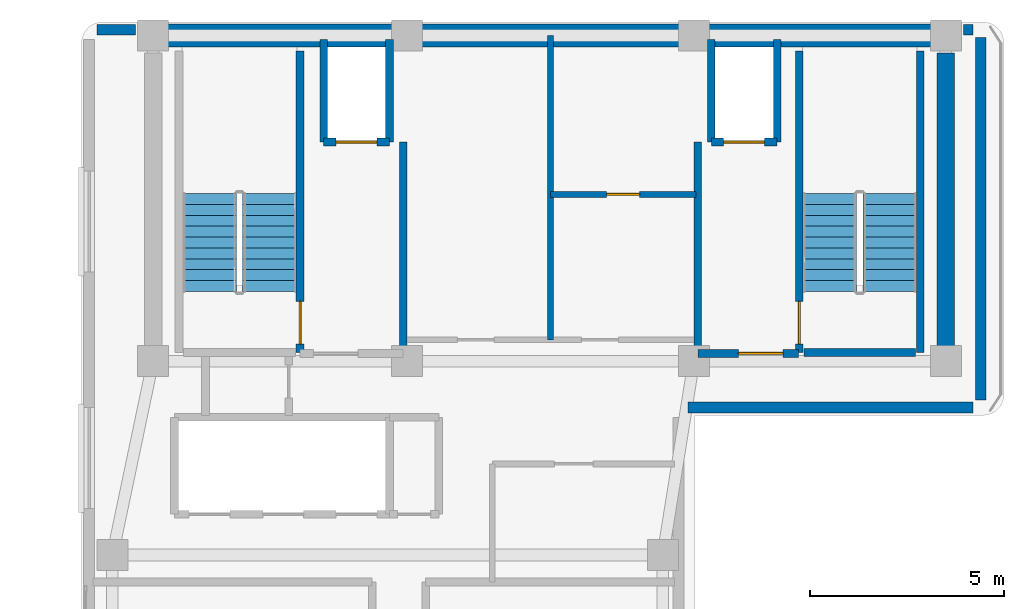
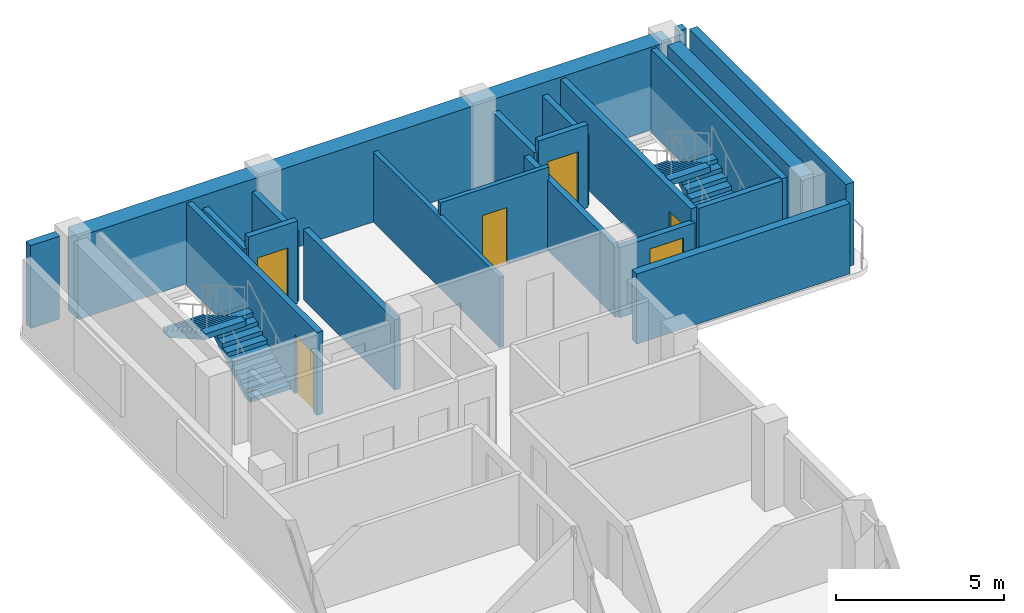
# One storey, part 9 of 11: 21 walls, 6 doors, 4 stair flights, 6 openings, 2 elements without a shape of their own.
"""IFC4 building model written with IfcOpenShell, lengths in metres."""

from ifc_helpers import new_model, si_unit, direction, frame, frame_2d, origin, place, context, subcontext, project, spatial, polyline, rectangle, outline, extrude, material, layer, layer_set, type_object, element, fill, aggregate, save


model = new_model("IFC4")

# Units and contexts
model_context = context("Model", 3, precision=1e-05, world=origin(), true_north=direction((0.0, 1.0)))
body_context = subcontext(model_context, "Body", "Model", "MODEL_VIEW")
ifc_project = project(units=[si_unit("LENGTHUNIT", "METRE"), si_unit("AREAUNIT", "SQUARE_METRE"), si_unit("VOLUMEUNIT", "CUBIC_METRE"), si_unit("PLANEANGLEUNIT", "RADIAN"), si_unit("MASSUNIT", "GRAM", prefix="KILO")], contexts=[model_context])

# Site, building, storey
site_placement = place(None, origin())
site = spatial("IfcSite", under=ifc_project, at=site_placement, CompositionType="ELEMENT")
building_placement = place(site_placement, origin())
building = spatial("IfcBuilding", under=site, at=building_placement, Name="Kuzgunbayir Cultural Tower", CompositionType="ELEMENT")
storey_placement = place(building_placement, frame((0.0, 0.0, 237.60009765625)))
storey = spatial("IfcBuildingStorey", under=building, at=storey_placement, Name="L70", CompositionType="ELEMENT", Elevation=237.60009765625)

# Walls
ifc_material_1 = material(Name="Concrete C50/60", Category="concrete")
ifc_layer_1 = layer(ifc_material_1, 0.449951171875)
ifc_layer_set_1 = layer_set([ifc_layer_1], Name="Concrete C50/60")
wall_type_1 = type_object("IfcWallType", Name="WAL-CORE-450", PredefinedType="SHEAR", material=ifc_layer_set_1)
wall_1_placement = place(storey_placement, frame((26.89990234375, 33.800048828125, 0.0), z_axis=(0.0, 0.0, 1.0), x_axis=(0.0, 1.0, 0.0)))
element("IfcWall", 1, at=wall_1_placement, inside=storey, type_object=wall_type_1, Name="L70 T1 Core East Shear Wall", PredefinedType="SHEAR", context=body_context, shape_type="SweptSolid", body=[
    extrude(rectangle(XDim=7.949951171875, YDim=0.449951171875, at=frame_2d((3.97509765625, 0.0))), origin(), (0.0, 0.0, 1.0), 3.02001953125),
])
ifc_material_2 = material(Name="Concrete C60/75", Category="concrete")
ifc_layer_2 = layer(ifc_material_2, 0.60009765625)
ifc_layer_set_2 = layer_set([ifc_layer_2], Name="Concrete C60/75")
wall_type_2 = type_object("IfcWallType", Name="WAL-CORE-600", PredefinedType="SHEAR", material=ifc_layer_set_2)
wall_2_placement = place(storey_placement, frame((6.449951171875, 42.199951171875, 0.0), z_axis=(0.0, 0.0, 1.0), x_axis=(1.0, 0.0, 0.0)))
element("IfcWall", 2, at=wall_2_placement, inside=storey, type_object=wall_type_2, Name="L70 T1 Core North Shear Wall", PredefinedType="SHEAR", context=body_context, shape_type="SweptSolid", body=[
    extrude(rectangle(XDim=20.449951171875, YDim=0.60009765625, at=frame_2d((10.22509765625, 0.0))), origin(), (0.0, 0.0, 1.0), 3.02001953125),
])
ifc_material_3 = material(Name="Anatolian Cream Limestone", Category="masonry")
ifc_layer_3 = layer(ifc_material_3, 0.280029296875)
ifc_layer_set_3 = layer_set([ifc_layer_3], Name="Anatolian Cream Limestone")
wall_type_3 = type_object("IfcWallType", Name="WAL-EXT-STONE-280", PredefinedType="STANDARD", material=ifc_layer_set_3)
wall_3_placement = place(storey_placement, frame((27.60009765625, 42.35009765625, 0.0), z_axis=(0.0, 0.0, 1.0), x_axis=(-1.0, 0.0, 0.0)))
element("IfcWall", 3, at=wall_3_placement, inside=storey, type_object=wall_type_3, Name="L70 North Wing B Limestone Wall", PredefinedType="STANDARD", context=body_context, shape_type="SweptSolid", body=[
    extrude(rectangle(XDim=0.25, YDim=0.280029296875, at=frame_2d((0.125, 0.0))), origin(), (0.0, 0.0, 1.0), 3.02001953125),
])
wall_4_placement = place(storey_placement, frame((6.0, 42.35009765625, 0.0), z_axis=(0.0, 0.0, 1.0), x_axis=(-1.0, 0.0, 0.0)))
element("IfcWall", 4, at=wall_4_placement, inside=storey, type_object=wall_type_3, Name="L70 Core North-West Spandrel Link", PredefinedType="STANDARD", context=body_context, shape_type="SweptSolid", body=[
    extrude(rectangle(XDim=1.0, YDim=0.280029296875, at=frame_2d((0.5, 0.0))), origin(), (0.0, 0.0, 1.0), 3.02001953125),
])
wall_5_placement = place(storey_placement, frame((27.800048828125, 32.800048828125, 0.0), z_axis=(0.0, 0.0, 1.0), x_axis=(0.0, 1.0, 0.0)))
element("IfcWall", 5, at=wall_5_placement, inside=storey, type_object=wall_type_3, Name="L70 Rear Core East Limestone Wall", PredefinedType="STANDARD", context=body_context, shape_type="SweptSolid", body=[
    extrude(rectangle(XDim=9.349853515625, YDim=0.280029296875, at=frame_2d((4.6748046875, 0.0))), origin(), (0.0, 0.0, 1.0), 3.02001953125),
])
wall_6_placement = place(storey_placement, frame((20.25, 32.60009765625, 0.0), z_axis=(0.0, 0.0, 1.0), x_axis=(1.0, 0.0, 0.0)))
element("IfcWall", 6, at=wall_6_placement, inside=storey, type_object=wall_type_3, Name="L70 Core South Soffit Wall", PredefinedType="STANDARD", context=body_context, shape_type="SweptSolid", body=[
    extrude(rectangle(XDim=7.35009765625, YDim=0.280029296875, at=frame_2d((3.675048828125, 0.0))), origin(), (0.0, 0.0, 1.0), 2.559814453125),
])
ifc_material_4 = material(Name="Acoustic Double-Stud Drywall", Category="gypsum")
ifc_layer_4 = layer(ifc_material_4, 0.14990234375)
ifc_layer_set_4 = layer_set([ifc_layer_4], Name="Acoustic Double-Stud Drywall")
wall_type_4 = type_object("IfcWallType", Name="WAL-PART-ACOUSTIC-150", PredefinedType="PARTITIONING", material=ifc_layer_set_4)
wall_7_placement = place(storey_placement, frame((16.699951171875, 34.35009765625, 0.0), z_axis=(0.0, 0.0, 1.0), x_axis=(0.0, 1.0, 0.0)))
element("IfcWall", 7, at=wall_7_placement, inside=storey, type_object=wall_type_4, Name="L70 Sky Core Vertical Wall", PredefinedType="PARTITIONING", context=body_context, shape_type="SweptSolid", body=[
    extrude(rectangle(XDim=7.849853515625, YDim=0.14990234375, at=frame_2d((3.9248046875, 0.0))), origin(), (0.0, 0.0, 1.0), 2.559814453125),
])

# Wall, opening, door
wall_8_placement = place(storey_placement, frame((16.699951171875, 38.10009765625, 0.0), z_axis=(0.0, 0.0, 1.0), x_axis=(1.0, 0.0, 0.0)))
wall_8 = element("IfcWall", 8, at=wall_8_placement, inside=storey, type_object=wall_type_4, Name="L70 Sky Core Store Divider", PredefinedType="PARTITIONING", context=body_context, shape_type="SweptSolid", body=[
    extrude(rectangle(XDim=3.75, YDim=0.14990234375, at=frame_2d((1.875, 0.0))), origin(), (0.0, 0.0, 1.0), 3.02001953125),
])
opening_1_placement = place(wall_8_placement, frame((1.449951171875, 0.0, 0.0)))
opening_1 = element("IfcOpeningElement", 9, at=opening_1_placement, cuts=wall_8, Name="Opening DC-85", PredefinedType="OPENING", context=body_context, shape_type="SweptSolid", body=[
    extrude(rectangle(XDim=0.85009765625, YDim=2.050048828125, at=frame_2d((0.425048828125, 1.02490234375))), frame((0.0, 0.0849609375, 0.0), z_axis=(0.0, -1.0, 0.0), x_axis=(1.0, 0.0, 0.0)), (0.0, 0.0, 1.0), 0.169921875),
])
ifc_material_5 = material(Name="Fire-Rated Veneered Oak Leaf", Category="wood")
door_type_1 = type_object("IfcDoorType", Name="DR-CORE-85", OperationType="NOTDEFINED", PredefinedType="DOOR", material=ifc_material_5)
door_1_placement = place(opening_1_placement, origin())
door_1 = element("IfcDoor", 10, at=door_1_placement, inside=storey, type_object=door_type_1, Name="L70 Core Electrical Store Door", OperationType="SINGLE_SWING_LEFT", OverallHeight=2.050048828125, OverallWidth=0.85009765625, PredefinedType="DOOR", context=body_context, shape_type="SweptSolid", body=[
    extrude(rectangle(XDim=0.85009765625, YDim=2.050048828125, at=frame_2d((0.425048828125, 1.02490234375))), frame((0.0, 0.02490234375, 0.0), z_axis=(0.0, -1.0, 0.0), x_axis=(1.0, 0.0, 0.0)), (0.0, 0.0, 1.0), 0.050048828125),
])
fill(opening_1, door_1)

# Walls
ifc_material_6 = material(Name="Aerated Concrete Blockwork", Category="masonry")
ifc_layer_5 = layer(ifc_material_6, 0.199951171875)
ifc_layer_set_5 = layer_set([ifc_layer_5], Name="Aerated Concrete Blockwork")
wall_type_5 = type_object("IfcWallType", Name="WAL-PART-FIRE-200", PredefinedType="PARTITIONING", material=ifc_layer_set_5)
for number, where, z_axis, x_axis, name in (
    (11, (12.89990234375, 34.0, 0.0), (0.0, 0.0, 1.0), (0.0, 1.0, 0.0), "L70 FFL-1 Lobby East Fire Wall"),
    (12, (20.5, 34.0, 0.0), (0.0, 0.0, 1.0), (0.0, 1.0, 0.0), "L70 FFL-2 Lobby West Fire Wall"),
):
    element("IfcWall", number, at=place(storey_placement, frame(where, z_axis=z_axis, x_axis=x_axis)), inside=storey, type_object=wall_type_5, Name=name, PredefinedType="PARTITIONING", context=body_context, shape_type="SweptSolid", body=[
        extrude(rectangle(XDim=5.449951171875, YDim=0.199951171875, at=frame_2d((2.72509765625, 0.0))), origin(), (0.0, 0.0, 1.0), 2.559814453125),
    ])

# Wall, opening, door
wall_9_placement = place(storey_placement, frame((20.5, 34.0, 0.0), z_axis=(0.0, 0.0, 1.0), x_axis=(1.0, 0.0, 0.0)))
wall_9 = element("IfcWall", 13, at=wall_9_placement, inside=storey, type_object=wall_type_5, Name="L70 FFL-2 Lobby South Fire Wall", PredefinedType="PARTITIONING", context=body_context, shape_type="SweptSolid", body=[
    extrude(rectangle(XDim=2.60009765625, YDim=0.199951171875, at=frame_2d((1.300048828125, 0.0))), origin(), (0.0, 0.0, 1.0), 2.559814453125),
])
opening_2_placement = place(wall_9_placement, frame((1.050048828125, 0.0, 0.0)))
opening_2 = element("IfcOpeningElement", 14, at=opening_2_placement, cuts=wall_9, Name="Opening DR-FFL-90", PredefinedType="OPENING", context=body_context, shape_type="SweptSolid", body=[
    extrude(rectangle(XDim=1.14990234375, YDim=2.14990234375, at=frame_2d((0.574951171875, 1.074951171875))), frame((0.0, 0.10986328125, 0.0), z_axis=(0.0, -1.0, 0.0), x_axis=(1.0, 0.0, 0.0)), (0.0, 0.0, 1.0), 0.219970703125),
])
ifc_material_7 = material(Name="Steel S355J2", Category="steel")
door_type_2 = type_object("IfcDoorType", Name="DR-FFL-90", OperationType="NOTDEFINED", PredefinedType="DOOR", material=ifc_material_7)
door_2_placement = place(opening_2_placement, origin())
door_2 = element("IfcDoor", 15, at=door_2_placement, inside=storey, type_object=door_type_2, Name="L70 Firefighting Lobby 2 Door", OperationType="SINGLE_SWING_RIGHT", OverallHeight=2.14990234375, OverallWidth=1.14990234375, PredefinedType="DOOR", context=body_context, shape_type="SweptSolid", body=[
    extrude(rectangle(XDim=1.14990234375, YDim=2.14990234375, at=frame_2d((0.574951171875, 1.074951171875))), frame((0.0, 0.02490234375, 0.0), z_axis=(0.0, -1.0, 0.0), x_axis=(1.0, 0.0, 0.0)), (0.0, 0.0, 1.0), 0.050048828125),
])
fill(opening_2, door_2)

ifc_material_8 = material(Name="Concrete C40/50", Category="concrete")
ifc_layer_6 = layer(ifc_material_8, 0.199951171875)
ifc_layer_set_6 = layer_set([ifc_layer_6], Name="Concrete C40/50")
wall_type_6 = type_object("IfcWallType", Name="WAL-SHAFT-200", PredefinedType="MOVABLE", material=ifc_layer_set_6)
wall_10_placement = place(storey_placement, frame((10.85009765625, 39.449951171875, 0.0), z_axis=(0.0, 0.0, 1.0), x_axis=(1.0, 0.0, 0.0)))
wall_10 = element("IfcWall", 16, at=wall_10_placement, inside=storey, type_object=wall_type_6, Name="L70 FFL-1 Lift Front Wall", PredefinedType="MOVABLE", context=body_context, shape_type="SweptSolid", body=[
    extrude(rectangle(XDim=1.699951171875, YDim=0.199951171875, at=frame_2d((0.85009765625, 0.0))), origin(), (0.0, 0.0, 1.0), 3.02001953125),
])
opening_3_placement = place(wall_10_placement, frame((0.320068359375, 0.0, 0.0)))
opening_3 = element("IfcOpeningElement", 17, at=opening_3_placement, cuts=wall_10, Name="Opening LD", PredefinedType="OPENING", context=body_context, shape_type="SweptSolid", body=[
    extrude(rectangle(XDim=1.050048828125, YDim=2.14990234375, at=frame_2d((0.52490234375, 1.074951171875))), frame((0.0, 0.10986328125, 0.0), z_axis=(0.0, -1.0, 0.0), x_axis=(1.0, 0.0, 0.0)), (0.0, 0.0, 1.0), 0.219970703125),
])
ifc_material_9 = material(Name="Brushed Stainless Steel", Category="steel")
door_type_3 = type_object("IfcDoorType", Name="DR-LIFT-LANDING", OperationType="SLIDING_TO_LEFT", PredefinedType="DOOR", material=ifc_material_9)
door_3_placement = place(opening_3_placement, origin())
door_3 = element("IfcDoor", 18, at=door_3_placement, inside=storey, type_object=door_type_3, Name="L70 Lift FFL-1 Landing Door", OperationType="SLIDING_TO_LEFT", OverallHeight=2.14990234375, OverallWidth=1.050048828125, PredefinedType="DOOR", context=body_context, shape_type="SweptSolid", body=[
    extrude(rectangle(XDim=1.050048828125, YDim=2.14990234375, at=frame_2d((0.52490234375, 1.074951171875))), frame((0.0, 0.02490234375, 0.0), z_axis=(0.0, -1.0, 0.0), x_axis=(1.0, 0.0, 0.0)), (0.0, 0.0, 1.0), 0.050048828125),
])
fill(opening_3, door_3)

wall_11_placement = place(storey_placement, frame((20.85009765625, 39.449951171875, 0.0), z_axis=(0.0, 0.0, 1.0), x_axis=(1.0, 0.0, 0.0)))
wall_11 = element("IfcWall", 19, at=wall_11_placement, inside=storey, type_object=wall_type_6, Name="L70 FFL-2 Lift Front Wall", PredefinedType="MOVABLE", context=body_context, shape_type="SweptSolid", body=[
    extrude(rectangle(XDim=1.699951171875, YDim=0.199951171875, at=frame_2d((0.85009765625, 0.0))), origin(), (0.0, 0.0, 1.0), 3.02001953125),
])
opening_4_placement = place(wall_11_placement, frame((0.320068359375, 0.0, 0.0)))
opening_4 = element("IfcOpeningElement", 20, at=opening_4_placement, cuts=wall_11, Name="Opening LD", PredefinedType="OPENING", context=body_context, shape_type="SweptSolid", body=[
    extrude(rectangle(XDim=1.050048828125, YDim=2.14990234375, at=frame_2d((0.52490234375, 1.074951171875))), frame((0.0, 0.10986328125, 0.0), z_axis=(0.0, -1.0, 0.0), x_axis=(1.0, 0.0, 0.0)), (0.0, 0.0, 1.0), 0.219970703125),
])
door_4_placement = place(opening_4_placement, origin())
door_4 = element("IfcDoor", 21, at=door_4_placement, inside=storey, type_object=door_type_3, Name="L70 Lift FFL-2 Landing Door", OperationType="SLIDING_TO_LEFT", OverallHeight=2.14990234375, OverallWidth=1.050048828125, PredefinedType="DOOR", context=body_context, shape_type="SweptSolid", body=[
    extrude(rectangle(XDim=1.050048828125, YDim=2.14990234375, at=frame_2d((0.52490234375, 1.074951171875))), frame((0.0, 0.02490234375, 0.0), z_axis=(0.0, -1.0, 0.0), x_axis=(1.0, 0.0, 0.0)), (0.0, 0.0, 1.0), 0.050048828125),
])
fill(opening_4, door_4)

# Walls
for number, where, z_axis, x_axis, name in (
    (22, (10.85009765625, 39.449951171875, 0.0), (0.0, 0.0, 1.0), (0.0, 1.0, 0.0), "L70 FFL-1 Shaft West Wall"),
    (23, (12.550048828125, 39.449951171875, 0.0), (0.0, 0.0, 1.0), (0.0, 1.0, 0.0), "L70 FFL-1 Shaft East Wall"),
    (24, (20.85009765625, 39.449951171875, 0.0), (0.0, 0.0, 1.0), (0.0, 1.0, 0.0), "L70 FFL-2 Shaft West Wall"),
    (25, (22.550048828125, 39.449951171875, 0.0), (0.0, 0.0, 1.0), (0.0, 1.0, 0.0), "L70 FFL-2 Shaft East Wall"),
):
    element("IfcWall", number, at=place(storey_placement, frame(where, z_axis=z_axis, x_axis=x_axis)), inside=storey, type_object=wall_type_6, Name=name, PredefinedType="MOVABLE", context=body_context, shape_type="SweptSolid", body=[
        extrude(rectangle(XDim=2.650146484375, YDim=0.199951171875, at=frame_2d((1.3251953125, 0.0))), origin(), (0.0, 0.0, 1.0), 2.559814453125),
    ])

# Wall, opening, door
ifc_layer_7 = layer(ifc_material_8, 0.199951171875)
ifc_layer_set_7 = layer_set([ifc_layer_7], Name="Concrete C40/50")
wall_type_7 = type_object("IfcWallType", Name="WAL-STAIR-RC-200", PredefinedType="SHEAR", material=ifc_layer_set_7)
wall_12_placement = place(storey_placement, frame((10.239990234375, 34.02001953125, 0.0), z_axis=(0.0, 0.0, 1.0), x_axis=(0.0, 1.0, 0.0)))
wall_12 = element("IfcWall", 26, at=wall_12_placement, inside=storey, type_object=wall_type_7, Name="L70 Stair ST-1 East Structural Wall", PredefinedType="SHEAR", context=body_context, shape_type="SweptSolid", body=[
    extrude(rectangle(XDim=7.780029296875, YDim=0.199951171875, at=frame_2d((3.89013671875, 0.0))), origin(), (0.0, 0.0, 1.0), 3.02001953125),
])
opening_5_placement = place(wall_12_placement, frame((0.219970703125, 0.0, 0.0)))
opening_5 = element("IfcOpeningElement", 27, at=opening_5_placement, cuts=wall_12, Name="Opening DR-STAIR-90", PredefinedType="OPENING", context=body_context, shape_type="SweptSolid", body=[
    extrude(rectangle(XDim=1.10009765625, YDim=2.14990234375, at=frame_2d((0.550048828125, 1.074951171875))), frame((0.0, 0.10986328125, 0.0), z_axis=(0.0, -1.0, 0.0), x_axis=(1.0, 0.0, 0.0)), (0.0, 0.0, 1.0), 0.219970703125),
])
door_type_4 = type_object("IfcDoorType", Name="DR-STAIR-90", OperationType="NOTDEFINED", PredefinedType="DOOR", material=ifc_material_7)
door_5_placement = place(opening_5_placement, origin())
door_5 = element("IfcDoor", 28, at=door_5_placement, inside=storey, type_object=door_type_4, Name="L70 Stair ST-1 Fire Door", OperationType="SINGLE_SWING_RIGHT", OverallHeight=2.14990234375, OverallWidth=1.10009765625, PredefinedType="DOOR", context=body_context, shape_type="SweptSolid", body=[
    extrude(rectangle(XDim=1.10009765625, YDim=2.14990234375, at=frame_2d((0.550048828125, 1.074951171875))), frame((0.0, 0.02490234375, 0.0), z_axis=(0.0, -1.0, 0.0), x_axis=(1.0, 0.0, 0.0)), (0.0, 0.0, 1.0), 0.050048828125),
])
fill(opening_5, door_5)

wall_13_placement = place(storey_placement, frame((23.1201171875, 34.02001953125, 0.0), z_axis=(0.0, 0.0, 1.0), x_axis=(0.0, 1.0, 0.0)))
wall_13 = element("IfcWall", 29, at=wall_13_placement, inside=storey, type_object=wall_type_7, Name="L70 Stair ST-2 West Structural Wall", PredefinedType="SHEAR", context=body_context, shape_type="SweptSolid", body=[
    extrude(rectangle(XDim=7.780029296875, YDim=0.199951171875, at=frame_2d((3.89013671875, 0.0))), origin(), (0.0, 0.0, 1.0), 3.02001953125),
])
opening_6_placement = place(wall_13_placement, frame((0.219970703125, 0.0, 0.0)))
opening_6 = element("IfcOpeningElement", 30, at=opening_6_placement, cuts=wall_13, Name="Opening DR-STAIR-90", PredefinedType="OPENING", context=body_context, shape_type="SweptSolid", body=[
    extrude(rectangle(XDim=1.10009765625, YDim=2.14990234375, at=frame_2d((0.550048828125, 1.074951171875))), frame((0.0, 0.10986328125, 0.0), z_axis=(0.0, -1.0, 0.0), x_axis=(1.0, 0.0, 0.0)), (0.0, 0.0, 1.0), 0.219970703125),
])
door_6_placement = place(opening_6_placement, origin())
door_6 = element("IfcDoor", 31, at=door_6_placement, inside=storey, type_object=door_type_4, Name="L70 Stair ST-2 Fire Door", OperationType="SINGLE_SWING_RIGHT", OverallHeight=2.14990234375, OverallWidth=1.10009765625, PredefinedType="DOOR", context=body_context, shape_type="SweptSolid", body=[
    extrude(rectangle(XDim=1.10009765625, YDim=2.14990234375, at=frame_2d((0.550048828125, 1.074951171875))), frame((0.0, 0.02490234375, 0.0), z_axis=(0.0, -1.0, 0.0), x_axis=(1.0, 0.0, 0.0)), (0.0, 0.0, 1.0), 0.050048828125),
])
fill(opening_6, door_6)

# Walls
wall_14_placement = place(storey_placement, frame((26.239990234375, 34.02001953125, 0.0), z_axis=(0.0, 0.0, 1.0), x_axis=(0.0, 1.0, 0.0)))
element("IfcWall", 32, at=wall_14_placement, inside=storey, type_object=wall_type_7, Name="L70 Stair ST-2 East Structural Wall", PredefinedType="SHEAR", context=body_context, shape_type="SweptSolid", body=[
    extrude(rectangle(XDim=7.780029296875, YDim=0.199951171875, at=frame_2d((3.89013671875, 0.0))), origin(), (0.0, 0.0, 1.0), 3.02001953125),
])
wall_15_placement = place(storey_placement, frame((23.239990234375, 34.02001953125, 0.0), z_axis=(0.0, 0.0, 1.0), x_axis=(1.0, 0.0, 0.0)))
element("IfcWall", 33, at=wall_15_placement, inside=storey, type_object=wall_type_7, Name="L70 Stair ST-2 South Structural Wall", PredefinedType="SHEAR", context=body_context, shape_type="SweptSolid", body=[
    extrude(rectangle(XDim=2.880126953125, YDim=0.199951171875, at=frame_2d((1.43994140625, 0.0))), origin(), (0.0, 0.0, 1.0), 3.02001953125),
])

# Stair, stair flights
stair_type = type_object("IfcStairType", Name="STR-EXIT-CORE", PredefinedType="HALF_TURN_STAIR", material=ifc_material_8)
stair_1_placement = place(storey_placement, origin())
stair_1 = element("IfcStair", 34, at=stair_1_placement, inside=storey, type_object=stair_type, Name="L70 ST-1", PredefinedType="HALF_TURN_STAIR")
stair_flight_type = type_object("IfcStairFlightType", Name="STRF-RC-140", PredefinedType="STRAIGHT", material=ifc_material_8)
stair_flight_1_placement = place(storey_placement, frame((9.4599609375, 35.60009765625, 0.0), z_axis=(0.0, 0.0, 1.0), x_axis=(0.0, 1.0, 0.0)))
stair_flight_1 = element("IfcStairFlight", 35, at=stair_flight_1_placement, type_object=stair_flight_type, Name="ST-1 flight 1", NumberOfRisers=10, NumberOfTreads=9, PredefinedType="STRAIGHT", RiserHeight=0.16, TreadLength=0.28, context=body_context, shape_type="SweptSolid", body=[
    extrude(outline(polyline([(0.0, 0.0), (0.0, 0.159912109375), (0.280029296875, 0.159912109375), (0.280029296875, 0.320068359375), (0.56005859375, 0.320068359375), (0.56005859375, 0.47998046875), (0.840087890625, 0.47998046875), (0.840087890625, 0.639892578125), (1.1201171875, 0.639892578125), (1.1201171875, 0.800048828125), (1.39990234375, 0.800048828125), (1.39990234375, 0.9599609375), (1.679931640625, 0.9599609375), (1.679931640625, 1.1201171875), (1.9599609375, 1.1201171875), (1.9599609375, 1.280029296875), (2.239990234375, 1.280029296875), (2.239990234375, 1.43994140625), (2.52001953125, 1.43994140625), (2.52001953125, 1.60009765625), (2.52001953125, 1.232666015625), (0.362548828125, 0.0), (0.0, 0.0)])), frame((0.0, 0.699951171875, 0.0), z_axis=(0.0, -1.0, 0.0), x_axis=(1.0, 0.0, 0.0)), (0.0, 0.0, 1.0), 1.39990234375),
])
stair_flight_2_placement = place(storey_placement, frame((7.89990234375, 38.1201171875, 1.599853515625), z_axis=(0.0, 0.0, 1.0), x_axis=(0.0, -1.0, 0.0)))
stair_flight_2 = element("IfcStairFlight", 36, at=stair_flight_2_placement, type_object=stair_flight_type, Name="ST-1 flight 2", NumberOfRisers=10, NumberOfTreads=9, PredefinedType="STRAIGHT", RiserHeight=0.16, TreadLength=0.28, context=body_context, shape_type="SweptSolid", body=[
    extrude(outline(polyline([(0.0, 0.0), (0.0, 0.159912109375), (0.280029296875, 0.159912109375), (0.280029296875, 0.320068359375), (0.56005859375, 0.320068359375), (0.56005859375, 0.47998046875), (0.840087890625, 0.47998046875), (0.840087890625, 0.639892578125), (1.1201171875, 0.639892578125), (1.1201171875, 0.800048828125), (1.39990234375, 0.800048828125), (1.39990234375, 0.9599609375), (1.679931640625, 0.9599609375), (1.679931640625, 1.1201171875), (1.9599609375, 1.1201171875), (1.9599609375, 1.280029296875), (2.239990234375, 1.280029296875), (2.239990234375, 1.43994140625), (2.52001953125, 1.43994140625), (2.52001953125, 1.60009765625), (2.52001953125, 1.232666015625), (0.362548828125, 0.0), (0.0, 0.0)])), frame((0.0, 0.699951171875, 0.0), z_axis=(0.0, -1.0, 0.0), x_axis=(1.0, 0.0, 0.0)), (0.0, 0.0, 1.0), 1.39990234375),
])
aggregate(stair_1, [stair_flight_1, stair_flight_2])

stair_2_placement = place(storey_placement, origin())
stair_2 = element("IfcStair", 37, at=stair_2_placement, inside=storey, type_object=stair_type, Name="L70 ST-2", PredefinedType="HALF_TURN_STAIR")
stair_flight_3_placement = place(storey_placement, frame((25.4599609375, 35.60009765625, 0.0), z_axis=(0.0, 0.0, 1.0), x_axis=(0.0, 1.0, 0.0)))
stair_flight_3 = element("IfcStairFlight", 38, at=stair_flight_3_placement, type_object=stair_flight_type, Name="ST-2 flight 1", NumberOfRisers=10, NumberOfTreads=9, PredefinedType="STRAIGHT", RiserHeight=0.16, TreadLength=0.28, context=body_context, shape_type="SweptSolid", body=[
    extrude(outline(polyline([(0.0, 0.0), (0.0, 0.159912109375), (0.280029296875, 0.159912109375), (0.280029296875, 0.320068359375), (0.56005859375, 0.320068359375), (0.56005859375, 0.47998046875), (0.840087890625, 0.47998046875), (0.840087890625, 0.639892578125), (1.1201171875, 0.639892578125), (1.1201171875, 0.800048828125), (1.39990234375, 0.800048828125), (1.39990234375, 0.9599609375), (1.679931640625, 0.9599609375), (1.679931640625, 1.1201171875), (1.9599609375, 1.1201171875), (1.9599609375, 1.280029296875), (2.239990234375, 1.280029296875), (2.239990234375, 1.43994140625), (2.52001953125, 1.43994140625), (2.52001953125, 1.60009765625), (2.52001953125, 1.232666015625), (0.362548828125, 0.0), (0.0, 0.0)])), frame((0.0, 0.699951171875, 0.0), z_axis=(0.0, -1.0, 0.0), x_axis=(1.0, 0.0, 0.0)), (0.0, 0.0, 1.0), 1.39990234375),
])
stair_flight_4_placement = place(storey_placement, frame((23.89990234375, 38.1201171875, 1.599853515625), z_axis=(0.0, 0.0, 1.0), x_axis=(0.0, -1.0, 0.0)))
stair_flight_4 = element("IfcStairFlight", 39, at=stair_flight_4_placement, type_object=stair_flight_type, Name="ST-2 flight 2", NumberOfRisers=10, NumberOfTreads=9, PredefinedType="STRAIGHT", RiserHeight=0.16, TreadLength=0.28, context=body_context, shape_type="SweptSolid", body=[
    extrude(outline(polyline([(0.0, 0.0), (0.0, 0.159912109375), (0.280029296875, 0.159912109375), (0.280029296875, 0.320068359375), (0.56005859375, 0.320068359375), (0.56005859375, 0.47998046875), (0.840087890625, 0.47998046875), (0.840087890625, 0.639892578125), (1.1201171875, 0.639892578125), (1.1201171875, 0.800048828125), (1.39990234375, 0.800048828125), (1.39990234375, 0.9599609375), (1.679931640625, 0.9599609375), (1.679931640625, 1.1201171875), (1.9599609375, 1.1201171875), (1.9599609375, 1.280029296875), (2.239990234375, 1.280029296875), (2.239990234375, 1.43994140625), (2.52001953125, 1.43994140625), (2.52001953125, 1.60009765625), (2.52001953125, 1.232666015625), (0.362548828125, 0.0), (0.0, 0.0)])), frame((0.0, 0.699951171875, 0.0), z_axis=(0.0, -1.0, 0.0), x_axis=(1.0, 0.0, 0.0)), (0.0, 0.0, 1.0), 1.39990234375),
])
aggregate(stair_2, [stair_flight_3, stair_flight_4])

save(model, "model.ifc")
